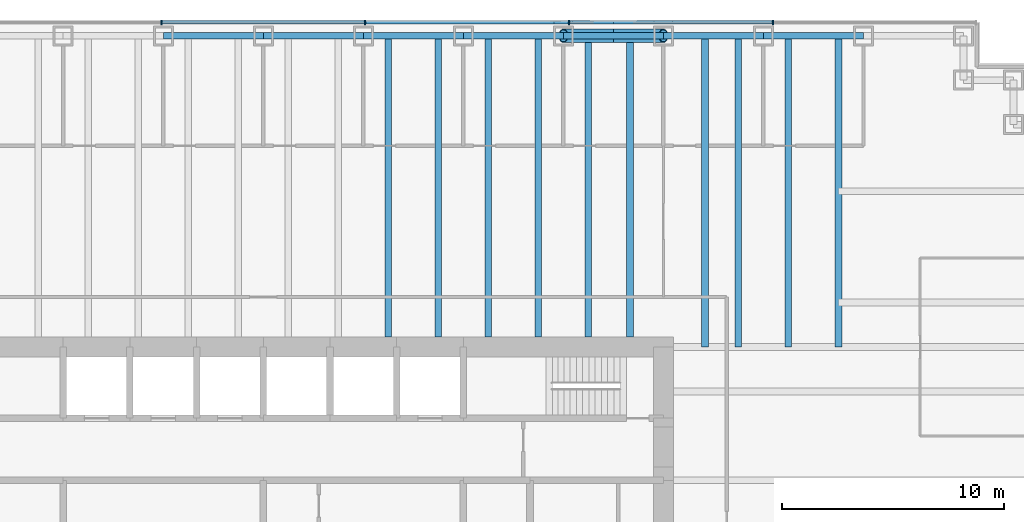
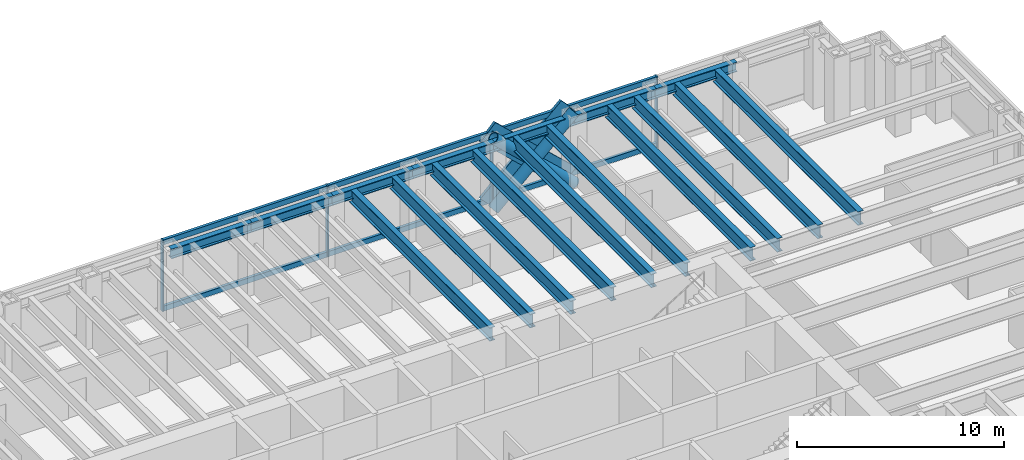
# One storey, part 7 of 19: 17 beams, 14 members, 1 element without a shape of its own.
"""IFC4 building model written with IfcOpenShell, lengths in metres."""

import ifcopenshell
import ifcopenshell.guid

model = None  # the IFC model being written
_history = None  # IfcOwnerHistory: only IFC2X3 demands one
_inside = {}  # id of a spatial element -> (the spatial element, [elements in it])
_under = {}  # id of a project, library or spatial element -> (it, [spatial elements below it])
_declared = {}  # id of a project -> (the project, [libraries it declares])
_typed = {}  # id of a type object -> (the type object, [elements of that type])
_made_of = {}  # id of a material, layer set ... -> (it, [elements and type objects made of it])


def new_model(schema):
    """Start an empty IFC model of exactly this schema.

    Asked for "IFC4X3", IfcOpenShell would pick the latest addendum, in which some entities
    have other attributes; the version numbers below select the first issue.
    IFC2X3 requires an IfcOwnerHistory on every rooted entity: one is made here for all.
    """
    global model, _history
    if schema == "IFC4X3":
        model = ifcopenshell.file(schema_version=(4, 3, 0, 0))
    else:
        model = ifcopenshell.file(schema=schema)
    _inside.clear()
    _under.clear()
    _declared.clear()
    _typed.clear()
    _made_of.clear()
    _history = None
    if model.schema == "IFC2X3":
        org = make("IfcOrganization", Name="unknown")
        user = make(
            "IfcPersonAndOrganization",
            ThePerson=make("IfcPerson", FamilyName="unknown"),
            TheOrganization=org,
        )
        app = make(
            "IfcApplication",
            ApplicationDeveloper=org,
            Version="unknown",
            ApplicationFullName="unknown",
            ApplicationIdentifier="unknown",
        )
        _history = make(
            "IfcOwnerHistory",
            OwningUser=user,
            OwningApplication=app,
            ChangeAction="ADDED",
            CreationDate=0,
        )
    return model


def make(cls, **values):
    """One entity of the class cls with the attributes given. An attribute that is None is left unset."""
    return model.create_entity(
        cls, **{name: value for name, value in values.items() if value is not None}
    )


def rooted(cls, **values):
    """An entity with a GlobalId (a new one), such as an element, a storey or a relation."""
    return make(cls, GlobalId=ifcopenshell.guid.new(), OwnerHistory=_history, **values)


def si_unit(unit_type, name, prefix=None):
    """IfcSIUnit, for example si_unit("LENGTHUNIT", "METRE", prefix="MILLI")."""
    return make("IfcSIUnit", UnitType=unit_type, Prefix=prefix, Name=name)


def assignment(units):
    """IfcUnitAssignment: the units of a project."""
    return None if units is None else make("IfcUnitAssignment", Units=units)


def point(xyz):
    """IfcCartesianPoint."""
    return None if xyz is None else make("IfcCartesianPoint", Coordinates=xyz)


def direction(xyz):
    """IfcDirection."""
    return None if xyz is None else make("IfcDirection", DirectionRatios=xyz)


def frame(location, z_axis=None, x_axis=None):
    """IfcAxis2Placement3D, a coordinate frame: its origin and axes. An axis left out is left unset."""
    return make(
        "IfcAxis2Placement3D",
        Location=point(location),
        Axis=direction(z_axis),
        RefDirection=direction(x_axis),
    )


def frame_2d(location, x_axis=None):
    """IfcAxis2Placement2D, a coordinate frame in the plane: its origin and x axis."""
    return make(
        "IfcAxis2Placement2D", Location=point(location), RefDirection=direction(x_axis)
    )


def origin():
    """The frame at (0, 0, 0) with its axes left unset."""
    return frame((0.0, 0.0, 0.0))


def origin_2d():
    """The frame at (0, 0) in the plane with its x axis left unset."""
    return frame_2d((0.0, 0.0))


def place(relative_to, where):
    """IfcLocalPlacement: puts the frame where relative to a parent placement (None: the world)."""
    return make(
        "IfcLocalPlacement", PlacementRelTo=relative_to, RelativePlacement=where
    )


def context(
    kind, dimensions, precision=None, world=None, true_north=None, identifier=None
):
    """IfcGeometricRepresentationContext, for example the 3D "Model" context."""
    return make(
        "IfcGeometricRepresentationContext",
        ContextIdentifier=identifier,
        ContextType=kind,
        CoordinateSpaceDimension=dimensions,
        Precision=precision,
        WorldCoordinateSystem=world,
        TrueNorth=true_north,
    )


def subcontext(parent, identifier, kind, view, scale=None):
    """IfcGeometricRepresentationSubContext, for example "Body" below "Model"."""
    return make(
        "IfcGeometricRepresentationSubContext",
        ContextIdentifier=identifier,
        ContextType=kind,
        ParentContext=parent,
        TargetScale=scale,
        TargetView=view,
    )


def project(units=None, contexts=None):
    """IfcProject with its units and contexts."""
    return rooted(
        "IfcProject",
        Name="project",
        RepresentationContexts=contexts,
        UnitsInContext=assignment(units),
    )


def spatial(cls, under=None, at=None, **own):
    """A site, building, storey or space (cls), placed at a placement, below another one or the project."""
    s = rooted(cls, ObjectPlacement=at, **own)
    if under is not None:
        _under.setdefault(under.id(), (under, []))[1].append(s)
    return s


def profile(cls, at=None, kind="AREA", **sizes):
    """A parametric profile (cls). Its sizes go by their IFC names, for example OverallWidth=200.0."""
    return make(cls, ProfileType=kind, Position=at, **sizes)


def rectangle(**sizes):
    """IfcRectangleProfileDef."""
    return profile("IfcRectangleProfileDef", **sizes)


def hollow_circle(**sizes):
    """IfcCircleHollowProfileDef."""
    return profile("IfcCircleHollowProfileDef", **sizes)


def i_section(**sizes):
    """IfcIShapeProfileDef."""
    return profile("IfcIShapeProfileDef", **sizes)


def extrude(swept, where, along, depth):
    """IfcExtrudedAreaSolid: the profile swept, set in the frame where, extruded along a direction by depth."""
    return make(
        "IfcExtrudedAreaSolid",
        SweptArea=swept,
        Position=where,
        ExtrudedDirection=direction(along),
        Depth=depth,
    )


def shape(context_of_items, identifier, shape_type, items):
    """IfcShapeRepresentation: the items that make up one representation, for example the "Body"."""
    return make(
        "IfcShapeRepresentation",
        ContextOfItems=context_of_items,
        RepresentationIdentifier=identifier,
        RepresentationType=shape_type,
        Items=items,
    )


def material(Name=None, Category=None):
    """IfcMaterial."""
    return make("IfcMaterial", Name=Name, Category=Category)


def material_profile(
    of_material, cross_section, Name=None, Category=None, Priority=None
):
    """IfcMaterialProfile: a cross section and its material."""
    return make(
        "IfcMaterialProfile",
        Name=Name,
        Material=of_material,
        Profile=cross_section,
        Priority=Priority,
        Category=Category,
    )


def profile_set(profiles, Name=None, composite=None):
    """IfcMaterialProfileSet."""
    return make(
        "IfcMaterialProfileSet",
        Name=Name,
        MaterialProfiles=profiles,
        CompositeProfile=composite,
    )


def made_of(thing, what):
    """Note that an element or type object is made of a material, layer set ...; save() writes the relation."""
    if what is not None:
        _made_of.setdefault(what.id(), (what, []))[1].append(thing)
    return thing


def type_object(cls, material=None, **own):
    """A type object (cls), such as IfcWallType, which elements share."""
    return made_of(rooted(cls, **own), material)


def element(
    cls,
    number,
    at=None,
    inside=None,
    cuts=None,
    type_object=None,
    material=None,
    context=None,
    identifier="Body",
    shape_type=None,
    held_by="IfcProductDefinitionShape",
    body=None,
    shapes=None,
    **own,
):
    """One element of the class cls, such as IfcWall. Its Tag is "e" and its number.

    at: its placement. inside: the storey or other place that contains it. cuts: it is an
    opening in that element (IfcRelVoidsElement). A single representation is given by context,
    identifier, shape_type and body (its items); several are given by shapes. held_by: the class
    of the entity that holds the representations. save() writes the other relations.
    """
    e = rooted(cls, Tag="e%d" % number, ObjectPlacement=at, **own)
    if body is not None:
        shapes = [shape(context, identifier, shape_type, body)]
    if shapes is not None:
        e.Representation = make(held_by, Representations=shapes)
    if inside is not None:
        _inside.setdefault(inside.id(), (inside, []))[1].append(e)
    if cuts is not None:
        rooted(
            "IfcRelVoidsElement", RelatingBuildingElement=cuts, RelatedOpeningElement=e
        )
    if type_object is not None:
        _typed.setdefault(type_object.id(), (type_object, []))[1].append(e)
    return made_of(e, material)


def aggregate(whole, parts):
    """IfcRelAggregates: a whole, such as a stair, and the parts it consists of."""
    return rooted("IfcRelAggregates", RelatingObject=whole, RelatedObjects=parts)


def save(model, path):
    """Write the relations noted so far, then the file.

    IfcRelAggregates (storeys below a building ...), IfcRelContainedInSpatialStructure (elements
    in a storey), IfcRelDefinesByType, IfcRelAssociatesMaterial and IfcRelDeclares: one each for
    every whole, place, type object, material and project.
    """
    for whole, parts in _under.values():
        aggregate(whole, parts)
    for where, things in _inside.values():
        rooted(
            "IfcRelContainedInSpatialStructure",
            RelatedElements=things,
            RelatingStructure=where,
        )
    for kind, things in _typed.values():
        rooted("IfcRelDefinesByType", RelatedObjects=things, RelatingType=kind)
    for what, things in _made_of.values():
        rooted("IfcRelAssociatesMaterial", RelatedObjects=things, RelatingMaterial=what)
    for by, libraries in _declared.values():
        rooted("IfcRelDeclares", RelatingContext=by, RelatedDefinitions=libraries)
    model.write(path)


model = new_model("IFC4")

# Units and contexts
model_context = context("Model", 3, precision=1e-05, world=origin(), true_north=direction((0.0, 1.0)))
body_context = subcontext(model_context, "Body", "Model", "MODEL_VIEW")
ifc_project = project(units=[si_unit("LENGTHUNIT", "METRE"), si_unit("AREAUNIT", "SQUARE_METRE"), si_unit("VOLUMEUNIT", "CUBIC_METRE"), si_unit("PLANEANGLEUNIT", "RADIAN"), si_unit("MASSUNIT", "GRAM", prefix="KILO")], contexts=[model_context])

# Site, building, storey
site_placement = place(None, origin())
site = spatial("IfcSite", under=ifc_project, at=site_placement, CompositionType="ELEMENT")
building_placement = place(site_placement, origin())
building = spatial("IfcBuilding", under=site, at=building_placement, Name="Rheinbord Bourse Tower", CompositionType="ELEMENT")
storey_placement = place(building_placement, frame((0.0, 0.0, 167.699951171875)))
storey = spatial("IfcBuildingStorey", under=building, at=storey_placement, Name="L37", CompositionType="ELEMENT", Elevation=167.699951171875)

# Curtain wall, members
ifc_material_1 = material(Name="Dark glass and black aluminium", Category="aluminium")
curtain_wall_type = type_object("IfcCurtainWallType", Name="CW2 DARK GLASS CURTAIN WALL", PredefinedType="USERDEFINED", material=ifc_material_1)
curtain_wall_placement = place(storey_placement, origin())
curtain_wall = element("IfcCurtainWall", 1, at=curtain_wall_placement, inside=storey, type_object=curtain_wall_type, Name="Curtain wall CW2 N L37", ObjectType="UNITISED CURTAIN WALL", PredefinedType="USERDEFINED")
ifc_material_2 = material(Name="Black anodised aluminium", Category="aluminium")
ifc_material_profile_1 = material_profile(ifc_material_2, rectangle(XDim=0.159912109375, YDim=1.2099609375, at=origin_2d()), Name="CW2 DIAGONAL MULLION 1210x160")
ifc_profile_set_1 = profile_set([ifc_material_profile_1], Name="Black anodised aluminium")
member_type_1 = type_object("IfcMemberType", Name="CW2 BLACK DIAGONAL MULLION", PredefinedType="USERDEFINED", material=ifc_profile_set_1)
member_1_placement = place(storey_placement, frame((49.5, 46.60009765625, 0.0), z_axis=(0.73105922506, 0.0, 0.682314010889), x_axis=(0.0, 1.0, 0.0)))
member_1 = element("IfcMember", 2, at=member_1_placement, type_object=member_type_1, Name="CW2 diagonal mullion a", ObjectType="DIAGONAL MULLION", PredefinedType="USERDEFINED", context=body_context, shape_type="SweptSolid", body=[
    extrude(rectangle(XDim=0.159912109375, YDim=1.2099609375, at=origin_2d()), origin(), (0.0, 0.0, 1.0), 6.155517578125),
])
member_2_placement = place(storey_placement, frame((54.0, 46.60009765625, 0.0), z_axis=(-0.73105922506, 0.0, 0.682314010889), x_axis=(0.0, -1.0, 0.0)))
member_2 = element("IfcMember", 3, at=member_2_placement, type_object=member_type_1, Name="CW2 diagonal mullion c", ObjectType="DIAGONAL MULLION", PredefinedType="USERDEFINED", context=body_context, shape_type="SweptSolid", body=[
    extrude(rectangle(XDim=0.159912109375, YDim=1.2099609375, at=origin_2d()), origin(), (0.0, 0.0, 1.0), 6.155517578125),
])
ifc_material_3 = material(Name="Black anodised aluminium", Category="aluminium")
ifc_material_profile_2 = material_profile(ifc_material_3, rectangle(XDim=0.219970703125, YDim=0.070068359375, at=origin_2d()), Name="CW2 MULLION 70x220")
ifc_profile_set_2 = profile_set([ifc_material_profile_2], Name="Black anodised aluminium")
member_type_2 = type_object("IfcMemberType", Name="CW2 BLACK MULLION", PredefinedType="MULLION", material=ifc_profile_set_2)
member_3_placement = place(storey_placement, frame((58.928466796875, 46.60009765625, 0.0), z_axis=(0.0, 0.0, 1.0), x_axis=(0.0, -1.0, 0.0)))
member_3 = element("IfcMember", 4, at=member_3_placement, type_object=member_type_2, Name="CW2 mullion 2", PredefinedType="MULLION", context=body_context, shape_type="SweptSolid", body=[
    extrude(rectangle(XDim=0.219970703125, YDim=0.070068359375, at=origin_2d()), origin(), (0.0, 0.0, 1.0), 4.199951171875),
])
member_4_placement = place(storey_placement, frame((49.757080078125, 46.60009765625, 0.0), z_axis=(0.0, 0.0, 1.0), x_axis=(0.0, -1.0, 0.0)))
member_4 = element("IfcMember", 5, at=member_4_placement, type_object=member_type_2, Name="CW2 mullion 3", PredefinedType="MULLION", context=body_context, shape_type="SweptSolid", body=[
    extrude(rectangle(XDim=0.219970703125, YDim=0.070068359375, at=origin_2d()), origin(), (0.0, 0.0, 1.0), 4.199951171875),
])
member_5_placement = place(storey_placement, frame((40.585693359375, 46.60009765625, 0.0), z_axis=(0.0, 0.0, 1.0), x_axis=(0.0, -1.0, 0.0)))
member_5 = element("IfcMember", 6, at=member_5_placement, type_object=member_type_2, Name="CW2 mullion 4", PredefinedType="MULLION", context=body_context, shape_type="SweptSolid", body=[
    extrude(rectangle(XDim=0.219970703125, YDim=0.070068359375, at=origin_2d()), origin(), (0.0, 0.0, 1.0), 4.199951171875),
])
member_6_placement = place(storey_placement, frame((31.414306640625, 46.60009765625, 0.0), z_axis=(0.0, 0.0, 1.0), x_axis=(0.0, -1.0, 0.0)))
member_6 = element("IfcMember", 7, at=member_6_placement, type_object=member_type_2, Name="CW2 mullion 5", PredefinedType="MULLION", context=body_context, shape_type="SweptSolid", body=[
    extrude(rectangle(XDim=0.219970703125, YDim=0.070068359375, at=origin_2d()), origin(), (0.0, 0.0, 1.0), 4.199951171875),
])
ifc_material_4 = material(Name="Black anodised aluminium", Category="aluminium")
ifc_material_profile_3 = material_profile(ifc_material_4, rectangle(XDim=0.159912109375, YDim=0.300048828125, at=origin_2d()), Name="CW2 TRANSOM 300x160")
ifc_profile_set_3 = profile_set([ifc_material_profile_3], Name="Black anodised aluminium")
member_type_3 = type_object("IfcMemberType", Name="CW2 BLACK TRANSOM", PredefinedType="USERDEFINED", material=ifc_profile_set_3)
member_7_placement = place(storey_placement, frame((58.8935546875, 46.60009765625, 0.150146484375), z_axis=(-1.0, 0.0, 0.0), x_axis=(0.0, -1.0, 0.0)))
member_7 = element("IfcMember", 8, at=member_7_placement, type_object=member_type_3, Name="CW2 transom 2.1", ObjectType="TRANSOM", PredefinedType="USERDEFINED", context=body_context, shape_type="SweptSolid", body=[
    extrude(rectangle(XDim=0.159912109375, YDim=0.300048828125, at=origin_2d()), origin(), (0.0, 0.0, 1.0), 9.101318359375),
])
member_8_placement = place(storey_placement, frame((58.8935546875, 46.60009765625, 4.050048828125), z_axis=(-1.0, 0.0, 0.0), x_axis=(0.0, -1.0, 0.0)))
member_8 = element("IfcMember", 9, at=member_8_placement, type_object=member_type_3, Name="CW2 transom 2.2", ObjectType="TRANSOM", PredefinedType="USERDEFINED", context=body_context, shape_type="SweptSolid", body=[
    extrude(rectangle(XDim=0.159912109375, YDim=0.300048828125, at=origin_2d()), origin(), (0.0, 0.0, 1.0), 9.101318359375),
])
member_9_placement = place(storey_placement, frame((49.72216796875, 46.60009765625, 0.150146484375), z_axis=(-1.0, 0.0, 0.0), x_axis=(0.0, -1.0, 0.0)))
member_9 = element("IfcMember", 10, at=member_9_placement, type_object=member_type_3, Name="CW2 transom 3.1", ObjectType="TRANSOM", PredefinedType="USERDEFINED", context=body_context, shape_type="SweptSolid", body=[
    extrude(rectangle(XDim=0.159912109375, YDim=0.300048828125, at=origin_2d()), origin(), (0.0, 0.0, 1.0), 9.1015625),
])
member_10_placement = place(storey_placement, frame((49.72216796875, 46.60009765625, 4.050048828125), z_axis=(-1.0, 0.0, 0.0), x_axis=(0.0, -1.0, 0.0)))
member_10 = element("IfcMember", 11, at=member_10_placement, type_object=member_type_3, Name="CW2 transom 3.2", ObjectType="TRANSOM", PredefinedType="USERDEFINED", context=body_context, shape_type="SweptSolid", body=[
    extrude(rectangle(XDim=0.159912109375, YDim=0.300048828125, at=origin_2d()), origin(), (0.0, 0.0, 1.0), 9.1015625),
])
member_11_placement = place(storey_placement, frame((40.55078125, 46.60009765625, 0.150146484375), z_axis=(-1.0, 0.0, 0.0), x_axis=(0.0, -1.0, 0.0)))
member_11 = element("IfcMember", 12, at=member_11_placement, type_object=member_type_3, Name="CW2 transom 4.1", ObjectType="TRANSOM", PredefinedType="USERDEFINED", context=body_context, shape_type="SweptSolid", body=[
    extrude(rectangle(XDim=0.159912109375, YDim=0.300048828125, at=origin_2d()), origin(), (0.0, 0.0, 1.0), 9.1015625),
])
member_12_placement = place(storey_placement, frame((40.55078125, 46.60009765625, 4.050048828125), z_axis=(-1.0, 0.0, 0.0), x_axis=(0.0, -1.0, 0.0)))
member_12 = element("IfcMember", 13, at=member_12_placement, type_object=member_type_3, Name="CW2 transom 4.2", ObjectType="TRANSOM", PredefinedType="USERDEFINED", context=body_context, shape_type="SweptSolid", body=[
    extrude(rectangle(XDim=0.159912109375, YDim=0.300048828125, at=origin_2d()), origin(), (0.0, 0.0, 1.0), 9.1015625),
])
aggregate(curtain_wall, [member_3, member_4, member_5, member_6, member_7, member_8, member_9, member_10, member_11, member_12, member_1, member_2])

# Beams
ifc_material_5 = material(Name="Steel S460", Category="steel")
ifc_material_profile_4 = material_profile(ifc_material_5, i_section(OverallWidth=0.300048828125, OverallDepth=0.800048828125, WebThickness=0.017578125, FlangeThickness=0.032958984375, at=origin_2d()), Name="HEB 800")
ifc_profile_set_4 = profile_set([ifc_material_profile_4], Name="Steel S460")
beam_type_1 = type_object("IfcBeamType", Name="FLOOR BEAM HEB 800", PredefinedType="BEAM", material=ifc_profile_set_4)
for number, where, z_axis, x_axis, name in (
    (14, (41.625, 46.0, 3.64013671875), (0.0, -1.0, 0.0), (1.0, 0.0, 0.0), "Floor beam N-40.5a L38"),
    (15, (43.875, 46.0, 3.64013671875), (0.0, -1.0, 0.0), (1.0, 0.0, 0.0), "Floor beam N-40.5b L38"),
    (16, (46.125, 46.0, 3.64013671875), (0.0, -1.0, 0.0), (1.0, 0.0, 0.0), "Floor beam N-45a L38"),
    (17, (48.375, 46.0, 3.64013671875), (0.0, -1.0, 0.0), (1.0, 0.0, 0.0), "Floor beam N-45b L38"),
    (18, (50.625, 46.0, 3.64013671875), (0.0, -1.0, 0.0), (1.0, 0.0, 0.0), "Floor beam N-49.5a L38"),
    (19, (52.5, 46.0, 3.64013671875), (0.0, -1.0, 0.0), (1.0, 0.0, 0.0), "Floor beam N-49.5b L38"),
):
    element("IfcBeam", number, at=place(storey_placement, frame(where, z_axis=z_axis, x_axis=x_axis)), inside=storey, type_object=beam_type_1, Name=name, PredefinedType="BEAM", context=body_context, shape_type="SweptSolid", body=[
        extrude(i_section(OverallWidth=0.300048828125, OverallDepth=0.800048828125, WebThickness=0.017578125, FlangeThickness=0.032958984375, at=origin_2d()), origin(), (0.0, 0.0, 1.0), 13.550048828125),
    ])
for number, where, z_axis, x_axis, name in (
    (20, (55.875, 46.0, 3.64013671875), (0.0, -1.0, 0.0), (1.0, 0.0, 0.0), "Floor beam N-54a L38"),
    (21, (57.375, 46.0, 3.64013671875), (0.0, -1.0, 0.0), (1.0, 0.0, 0.0), "Floor beam N-54b L38"),
    (22, (59.625, 46.0, 3.64013671875), (0.0, -1.0, 0.0), (1.0, 0.0, 0.0), "Floor beam N-58.5a L38"),
    (23, (61.875, 46.0, 3.64013671875), (0.0, -1.0, 0.0), (1.0, 0.0, 0.0), "Floor beam N-58.5b L38"),
):
    element("IfcBeam", number, at=place(storey_placement, frame(where, z_axis=z_axis, x_axis=x_axis)), inside=storey, type_object=beam_type_1, Name=name, PredefinedType="BEAM", context=body_context, shape_type="SweptSolid", body=[
        extrude(i_section(OverallWidth=0.300048828125, OverallDepth=0.800048828125, WebThickness=0.017578125, FlangeThickness=0.032958984375, at=origin_2d()), origin(), (0.0, 0.0, 1.0), 14.0),
    ])

# Members
ifc_material_6 = material(Name="Steel S460", Category="steel")
ifc_material_profile_5 = material_profile(ifc_material_6, hollow_circle(Radius=0.304931640625, WallThickness=0.0400390625, at=origin_2d()), Name="CHS 610x40")
ifc_profile_set_5 = profile_set([ifc_material_profile_5], Name="Steel S460")
member_type_4 = type_object("IfcMemberType", Name="MEGABRACE CHS 610x40", PredefinedType="BRACE", material=ifc_profile_set_5)
for number, where, z_axis, x_axis, name in (
    (24, (49.5, 46.0, 0.0), (0.73105922506, 0.0, 0.682314010889), (0.0, 1.0, 0.0), "Megabrace N face line a L37"),
    (25, (54.0, 46.0, 0.0), (-0.73105922506, 0.0, 0.682314010889), (0.0, -1.0, 0.0), "Megabrace N face line c L37"),
):
    element("IfcMember", number, at=place(storey_placement, frame(where, z_axis=z_axis, x_axis=x_axis)), inside=storey, type_object=member_type_4, Name=name, PredefinedType="BRACE", context=body_context, shape_type="SweptSolid", body=[
        extrude(hollow_circle(Radius=0.304931640625, WallThickness=0.0400390625, at=origin_2d()), origin(), (0.0, 0.0, 1.0), 6.155517578125),
    ])

# Beams
ifc_material_7 = material(Name="Steel S460", Category="steel")
ifc_material_profile_6 = material_profile(ifc_material_7, i_section(OverallWidth=0.305908203125, OverallDepth=0.572021484375, WebThickness=0.02099609375, FlangeThickness=0.0400390625, at=origin_2d()), Name="HEM 550")
ifc_profile_set_6 = profile_set([ifc_material_profile_6], Name="Steel S460")
beam_type_2 = type_object("IfcBeamType", Name="SPANDREL HEM 550", PredefinedType="SPANDREL", material=ifc_profile_set_6)
for number, where, z_axis, x_axis, name in (
    (26, (63.0, 46.0, 3.754150390625), (-1.0, 0.0, 0.0), (0.0, -1.0, 0.0), "Spandrel N-63-N-58.5 under L38"),
    (27, (58.5, 46.0, 3.754150390625), (-1.0, 0.0, 0.0), (0.0, -1.0, 0.0), "Spandrel N-58.5-N-54 under L38"),
    (28, (54.0, 46.0, 3.754150390625), (-1.0, 0.0, 0.0), (0.0, -1.0, 0.0), "Spandrel N-54-N-49.5 under L38"),
    (29, (49.5, 46.0, 3.754150390625), (-1.0, 0.0, 0.0), (0.0, -1.0, 0.0), "Spandrel N-49.5-N-45 under L38"),
    (30, (45.0, 46.0, 3.754150390625), (-1.0, 0.0, 0.0), (0.0, -1.0, 0.0), "Spandrel N-45-N-40.5 under L38"),
    (31, (40.5, 46.0, 3.754150390625), (-1.0, 0.0, 0.0), (0.0, -1.0, 0.0), "Spandrel N-40.5-N-36 under L38"),
    (32, (36.0, 46.0, 3.754150390625), (-1.0, 0.0, 0.0), (0.0, -1.0, 0.0), "Spandrel N-36-N-31.5 under L38"),
):
    element("IfcBeam", number, at=place(storey_placement, frame(where, z_axis=z_axis, x_axis=x_axis)), inside=storey, type_object=beam_type_2, Name=name, PredefinedType="SPANDREL", context=body_context, shape_type="SweptSolid", body=[
        extrude(i_section(OverallWidth=0.305908203125, OverallDepth=0.572021484375, WebThickness=0.02099609375, FlangeThickness=0.0400390625, at=origin_2d()), origin(), (0.0, 0.0, 1.0), 4.5),
    ])

save(model, "model.ifc")
